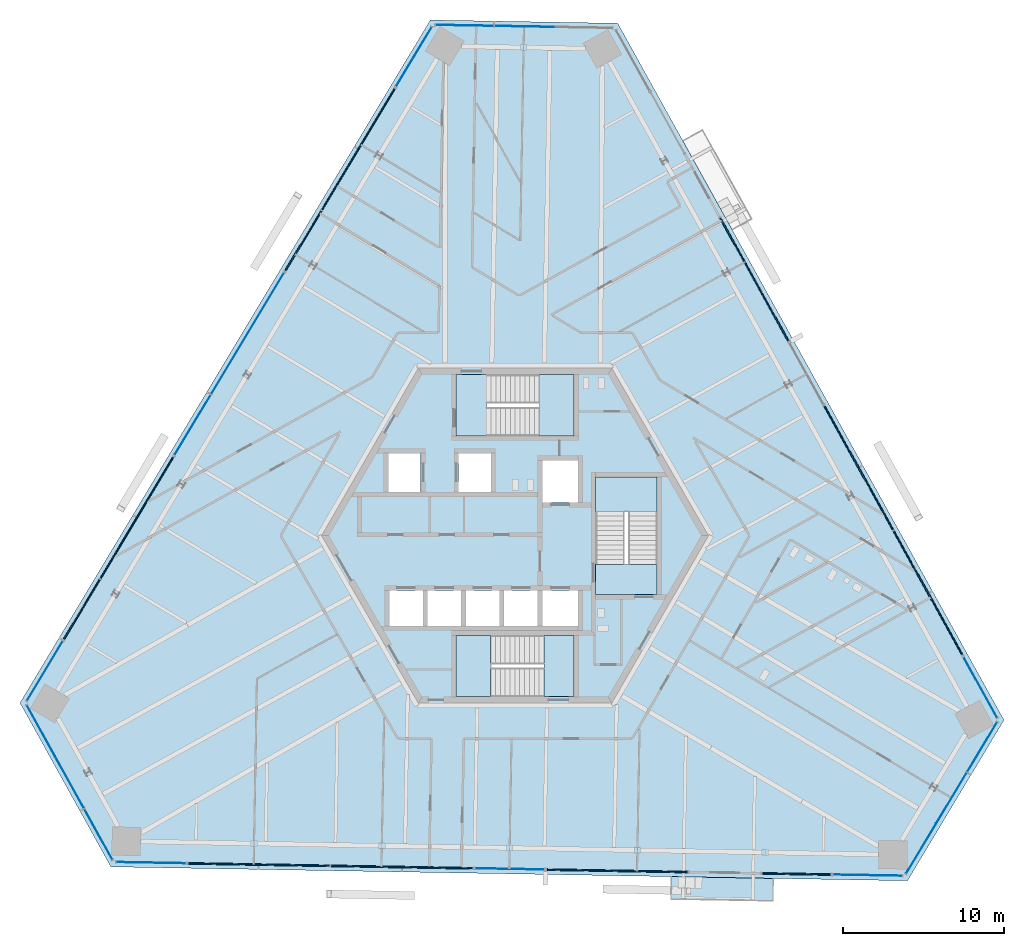
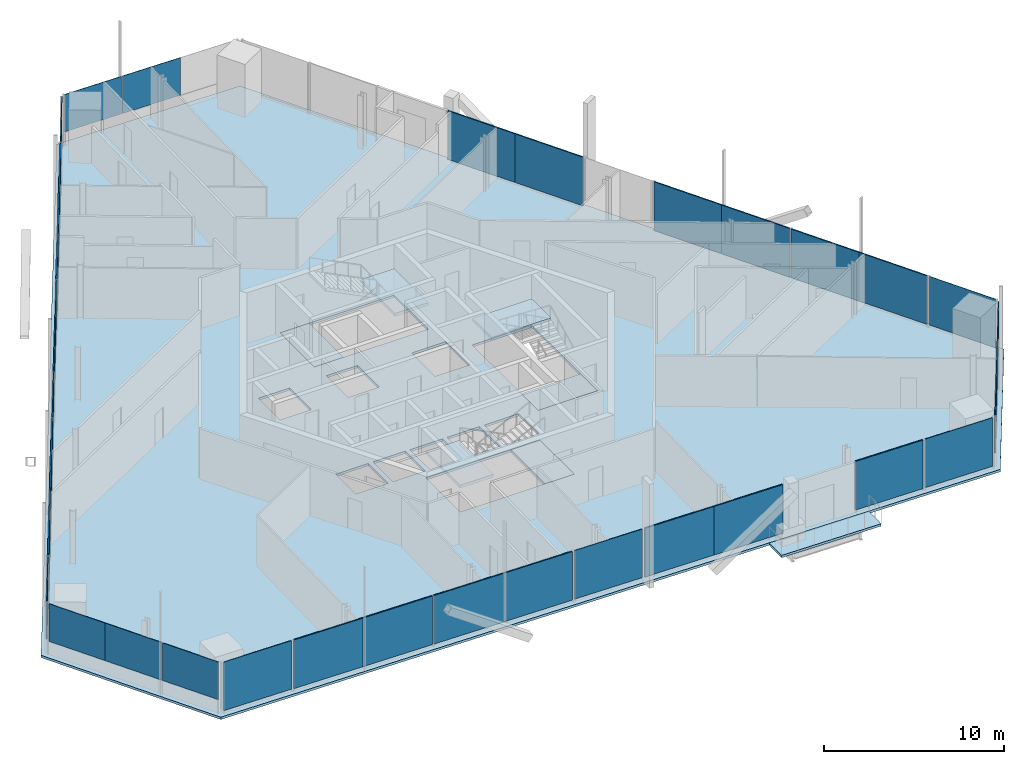
# One storey, part 10 of 21: 36 plates, 8 slabs, 20 elements without a shape of their own.
"""IFC4 building model written with IfcOpenShell, lengths in metres."""

from ifc_helpers import new_model, si_unit, direction, frame, origin, origin_2d, place, context, subcontext, project, spatial, polyline, rectangle, outline, extrude, source, transform, mapped, material, layer, layer_set, type_object, element, aggregate, save


model = new_model("IFC4")

# Units and contexts
model_context = context("Model", 3, precision=1e-05, world=origin(), true_north=direction((0.0, 1.0)))
body_context = subcontext(model_context, "Body", "Model", "MODEL_VIEW")
ifc_project = project(units=[si_unit("LENGTHUNIT", "METRE"), si_unit("AREAUNIT", "SQUARE_METRE"), si_unit("VOLUMEUNIT", "CUBIC_METRE"), si_unit("PLANEANGLEUNIT", "RADIAN"), si_unit("MASSUNIT", "GRAM", prefix="KILO")], contexts=[model_context])

# Site, building, storey
site_placement = place(None, origin())
site = spatial("IfcSite", under=ifc_project, at=site_placement, CompositionType="ELEMENT")
building_placement = place(site_placement, origin())
building = spatial("IfcBuilding", under=site, at=building_placement, Name="Triune Harvest Tower", CompositionType="ELEMENT")
storey_placement = place(building_placement, frame((0.0, 0.0, 201.5)))
storey = spatial("IfcBuildingStorey", under=building, at=storey_placement, Name="L52", CompositionType="ELEMENT", Elevation=201.5)

# Slabs
ifc_material_1 = material(Name="Concrete 40 MPa", Category="concrete")
ifc_layer_1 = layer(ifc_material_1, 0.159912109375)
ifc_layer_set_1 = layer_set([ifc_layer_1], Name="Concrete 40 MPa")
slab_type_1 = type_object("IfcSlabType", Name="BA-1 balcony slab 160", PredefinedType="FLOOR", material=ifc_layer_set_1)
slab_1_placement = place(storey_placement, frame((0.0, 0.0, -0.159912109375)))
element("IfcSlab", 1, at=slab_1_placement, inside=storey, type_object=slab_type_1, Name="Balcony slab B5-F5 L52.9", PredefinedType="FLOOR", context=body_context, shape_type="SweptSolid", body=[
    extrude(outline(polyline([(9.692138671875, -21.1494140625), (16.01318359375, -21.259765625), (15.989013671875, -22.6533203125), (9.66796875, -22.543212890625), (9.692138671875, -21.1494140625)])), origin(), (0.0, 0.0, 1.0), 0.159912109375),
])
ifc_material_2 = material(Name="Concrete 40 MPa", Category="concrete")
ifc_layer_2 = layer(ifc_material_2, 0.159912109375)
ifc_layer_set_2 = layer_set([ifc_layer_2], Name="Concrete 40 MPa")
slab_type_2 = type_object("IfcSlabType", Name="SL-1 Composite floor slab 160", PredefinedType="FLOOR", material=ifc_layer_set_2)
shared_shape_1 = source(origin(), body_context, "Body", "SweptSolid", [
    extrude(outline(polyline([(30.324951171875, -11.439208984375), (6.368896484375, 31.77880859375), (-5.256103515625, 31.981689453125), (-30.705810546875, -10.373779296875), (-25.069091796875, -20.542724609375), (24.3369140625, -21.405029296875), (30.324951171875, -11.439208984375)]), holes=[polyline([(-5.72509765625, -5.590087890625), (-5.72509765625, -3.389892578125), (-7.800048828125, -3.389892578125), (-7.800048828125, -5.590087890625), (-5.72509765625, -5.590087890625)]), polyline([(-3.35009765625, -5.590087890625), (-3.35009765625, -3.389892578125), (-5.425048828125, -3.389892578125), (-5.425048828125, -5.590087890625), (-3.35009765625, -5.590087890625)]), polyline([(-0.97509765625, -5.590087890625), (-0.97509765625, -3.389892578125), (-3.050048828125, -3.389892578125), (-3.050048828125, -5.590087890625), (-0.97509765625, -5.590087890625)]), polyline([(1.39990234375, -5.590087890625), (1.39990234375, -3.389892578125), (-0.675048828125, -3.389892578125), (-0.675048828125, -5.590087890625), (1.39990234375, -5.590087890625)]), polyline([(3.89990234375, 2.06005859375), (3.89990234375, 4.659912109375), (1.699951171875, 4.659912109375), (1.699951171875, 2.06005859375), (3.89990234375, 2.06005859375)]), polyline([(3.89990234375, -5.590087890625), (3.89990234375, -3.389892578125), (1.699951171875, -3.389892578125), (1.699951171875, -5.590087890625), (3.89990234375, -5.590087890625)]), polyline([(-5.85009765625, 2.7099609375), (-5.85009765625, 5.110107421875), (-7.85009765625, 5.110107421875), (-7.85009765625, 2.7099609375), (-5.85009765625, 2.7099609375)]), polyline([(-1.5, 2.7099609375), (-1.5, 5.110107421875), (-3.5, 5.110107421875), (-3.5, 2.7099609375), (-1.5, 2.7099609375)]), polyline([(3.64990234375, 6.18994140625), (3.64990234375, 9.989990234375), (-3.64990234375, 9.989990234375), (-3.64990234375, 6.18994140625), (3.64990234375, 6.18994140625)]), polyline([(3.64990234375, -9.989990234375), (3.64990234375, -6.18994140625), (-3.64990234375, -6.18994140625), (-3.64990234375, -9.989990234375), (3.64990234375, -9.989990234375)]), polyline([(8.800048828125, -3.64990234375), (8.800048828125, 3.64990234375), (5.0, 3.64990234375), (5.0, -3.64990234375), (8.800048828125, -3.64990234375)])]), origin(), (0.0, 0.0, 1.0), 0.159912109375),
])
slab_2_placement = place(storey_placement, frame((0.0, 0.0, -0.159912109375)))
element("IfcSlab", 2, at=slab_2_placement, inside=storey, type_object=slab_type_2, Name="slab/L52/1", PredefinedType="FLOOR", context=body_context, shape_type="MappedRepresentation", body=[
    mapped(shared_shape_1, transform((0.0, 0.0, 0.0), scale=1.0)),
])

# Stair, slabs
ifc_material_3 = material(Name="Concrete 40 MPa", Category="concrete")
stair_type = type_object("IfcStairType", Name="Exit stair 1800 half turn", PredefinedType="HALF_TURN_STAIR", material=ifc_material_3)
stair_1_placement = place(storey_placement, origin())
stair_1 = element("IfcStair", 3, at=stair_1_placement, inside=storey, type_object=stair_type, Name="Exit stair north", PredefinedType="HALF_TURN_STAIR")
ifc_material_4 = material(Name="Concrete 40 MPa", Category="concrete")
ifc_layer_3 = layer(ifc_material_4, 0.199951171875)
ifc_layer_set_3 = layer_set([ifc_layer_3], Name="Concrete 40 MPa")
slab_type_3 = type_object("IfcSlabType", Name="Stair landing 200", PredefinedType="LANDING", material=ifc_layer_set_3)
shared_shape_2 = source(origin(), body_context, "Body", "SweptSolid", [
    extrude(outline(polyline([(1.510009765625, 6.18994140625), (3.64990234375, 6.18994140625), (3.64990234375, 9.989990234375), (1.510009765625, 9.989990234375), (1.510009765625, 6.18994140625)])), origin(), (0.0, 0.0, 1.0), 0.199951171875),
])
slab_3_placement = place(storey_placement, frame((0.0, 0.0, 1.60009765625)))
slab_3 = element("IfcSlab", 4, at=slab_3_placement, type_object=slab_type_3, Name="ST-1 landing 2", PredefinedType="LANDING", context=body_context, shape_type="MappedRepresentation", body=[
    mapped(shared_shape_2, transform((0.0, 0.0, 0.0), scale=1.0)),
])
shared_shape_3 = source(origin(), body_context, "Body", "SweptSolid", [
    extrude(outline(polyline([(-3.64990234375, 6.18994140625), (-1.780029296875, 6.18994140625), (-1.780029296875, 9.989990234375), (-3.64990234375, 9.989990234375), (-3.64990234375, 6.18994140625)])), origin(), (0.0, 0.0, 1.0), 0.199951171875),
])
slab_4_placement = place(storey_placement, frame((0.0, 0.0, -0.199951171875)))
slab_4 = element("IfcSlab", 5, at=slab_4_placement, type_object=slab_type_3, Name="ST-1 landing 1", PredefinedType="LANDING", context=body_context, shape_type="MappedRepresentation", body=[
    mapped(shared_shape_3, transform((0.0, 0.0, 0.0), scale=1.0)),
])
aggregate(stair_1, [slab_4, slab_3])

stair_2_placement = place(storey_placement, origin())
stair_2 = element("IfcStair", 6, at=stair_2_placement, inside=storey, type_object=stair_type, Name="Exit stair south", PredefinedType="HALF_TURN_STAIR")
shared_shape_4 = source(origin(), body_context, "Body", "SweptSolid", [
    extrude(outline(polyline([(-1.510009765625, -6.18994140625), (-3.64990234375, -6.18994140625), (-3.64990234375, -9.989990234375), (-1.510009765625, -9.989990234375), (-1.510009765625, -6.18994140625)])), origin(), (0.0, 0.0, 1.0), 0.199951171875),
])
slab_5_placement = place(storey_placement, frame((0.0, 0.0, 1.60009765625)))
slab_5 = element("IfcSlab", 7, at=slab_5_placement, type_object=slab_type_3, Name="ST-2 landing 2", PredefinedType="LANDING", context=body_context, shape_type="MappedRepresentation", body=[
    mapped(shared_shape_4, transform((0.0, 0.0, 0.0), scale=1.0)),
])
shared_shape_5 = source(origin(), body_context, "Body", "SweptSolid", [
    extrude(outline(polyline([(3.64990234375, -6.18994140625), (1.780029296875, -6.18994140625), (1.780029296875, -9.989990234375), (3.64990234375, -9.989990234375), (3.64990234375, -6.18994140625)])), origin(), (0.0, 0.0, 1.0), 0.199951171875),
])
slab_6_placement = place(storey_placement, frame((0.0, 0.0, -0.199951171875)))
slab_6 = element("IfcSlab", 8, at=slab_6_placement, type_object=slab_type_3, Name="ST-2 landing 1", PredefinedType="LANDING", context=body_context, shape_type="MappedRepresentation", body=[
    mapped(shared_shape_5, transform((0.0, 0.0, 0.0), scale=1.0)),
])
aggregate(stair_2, [slab_6, slab_5])

stair_3_placement = place(storey_placement, origin())
stair_3 = element("IfcStair", 9, at=stair_3_placement, inside=storey, type_object=stair_type, Name="Exit stair east", PredefinedType="HALF_TURN_STAIR")
shared_shape_6 = source(origin(), body_context, "Body", "SweptSolid", [
    extrude(outline(polyline([(8.800048828125, 1.510009765625), (8.800048828125, 3.64990234375), (5.0, 3.64990234375), (5.0, 1.510009765625), (8.800048828125, 1.510009765625)])), origin(), (0.0, 0.0, 1.0), 0.199951171875),
])
slab_7_placement = place(storey_placement, frame((0.0, 0.0, 1.60009765625)))
slab_7 = element("IfcSlab", 10, at=slab_7_placement, type_object=slab_type_3, Name="ST-3 landing 2", PredefinedType="LANDING", context=body_context, shape_type="MappedRepresentation", body=[
    mapped(shared_shape_6, transform((0.0, 0.0, 0.0), scale=1.0)),
])
shared_shape_7 = source(origin(), body_context, "Body", "SweptSolid", [
    extrude(outline(polyline([(8.800048828125, -3.64990234375), (8.800048828125, -1.780029296875), (5.0, -1.780029296875), (5.0, -3.64990234375), (8.800048828125, -3.64990234375)])), origin(), (0.0, 0.0, 1.0), 0.199951171875),
])
slab_8_placement = place(storey_placement, frame((0.0, 0.0, -0.199951171875)))
slab_8 = element("IfcSlab", 11, at=slab_8_placement, type_object=slab_type_3, Name="ST-3 landing 1", PredefinedType="LANDING", context=body_context, shape_type="MappedRepresentation", body=[
    mapped(shared_shape_7, transform((0.0, 0.0, 0.0), scale=1.0)),
])
aggregate(stair_3, [slab_8, slab_7])

# Curtain wall, plate
ifc_material_5 = material(Name="Aluminium bronze anodised", Category="aluminium")
curtain_wall_type_1 = type_object("IfcCurtainWallType", Name="CW-10 Balcony window wall with insulated spandrel infill", PredefinedType="NOTDEFINED", material=ifc_material_5)
curtain_wall_1_placement = place(storey_placement, origin())
curtain_wall_1 = element("IfcCurtainWall", 12, at=curtain_wall_1_placement, inside=storey, type_object=curtain_wall_type_1, Name="CW-10 B5-F5 L52 run 2")
ifc_material_6 = material(Name="Insulated spandrel panel, bronze aluminium pan", Category="aluminium")
ifc_layer_4 = layer(ifc_material_6, 0.080078125)
ifc_layer_set_4 = layer_set([ifc_layer_4], Name="Insulated spandrel panel, bronze aluminium pan")
plate_type_1 = type_object("IfcPlateType", Name="SP-1 insulated spandrel panel 80", PredefinedType="CURTAIN_PANEL", material=ifc_layer_set_4)
shared_shape_8 = source(origin(), body_context, "Body", "SweptSolid", [
    extrude(rectangle(XDim=4.265625, YDim=0.080078125, at=origin_2d()), origin(), (0.0, 0.0, 1.0), 3.2900390625),
])
plate_1_placement = place(storey_placement, frame((17.45654296875, -20.98486328125, 0.14990234375), z_axis=(0.0, 0.0, 1.0), x_axis=(0.999847589868, -0.017458437359, 0.0)))
plate_1 = element("IfcPlate", 13, at=plate_1_placement, type_object=plate_type_1, Name="CW-10 panel B5-F5 2.1", PredefinedType="CURTAIN_PANEL", context=body_context, shape_type="MappedRepresentation", body=[
    mapped(shared_shape_8, transform((0.0, 0.0, 0.0), scale=1.0)),
])
aggregate(curtain_wall_1, [plate_1])

ifc_material_7 = material(Name="Aluminium bronze anodised", Category="aluminium")
curtain_wall_type_2 = type_object("IfcCurtainWallType", Name="CW-1 Tower stick curtain wall", PredefinedType="NOTDEFINED", material=ifc_material_7)
curtain_wall_2_placement = place(storey_placement, origin())
curtain_wall_2 = element("IfcCurtainWall", 14, at=curtain_wall_2_placement, inside=storey, type_object=curtain_wall_type_2, Name="CW-1 B5-F4 L52 run 1")
ifc_material_8 = material(Name="Glass", Category="glass")
ifc_layer_5 = layer(ifc_material_8, 0.031982421875)
ifc_layer_set_5 = layer_set([ifc_layer_5], Name="Glass")
plate_type_2 = type_object("IfcPlateType", Name="GL-1 panel 32", PredefinedType="CURTAIN_PANEL", material=ifc_layer_set_5)
shared_shape_9 = source(origin(), body_context, "Body", "SweptSolid", [
    extrude(rectangle(XDim=3.625, YDim=0.031982421875, at=origin_2d()), origin(), (0.0, 0.0, 1.0), 2.5400390625),
])
plate_2_placement = place(storey_placement, frame((-29.400634765625, -12.109375, 0.89990234375), z_axis=(0.0, 0.0, 1.0), x_axis=(0.484801950362, -0.874623958582, 0.0)))
plate_2 = element("IfcPlate", 15, at=plate_2_placement, type_object=plate_type_2, Name="CW-1 panel B5-F4 1.1", PredefinedType="CURTAIN_PANEL", context=body_context, shape_type="MappedRepresentation", body=[
    mapped(shared_shape_9, transform((0.0, 0.0, 0.0), scale=1.0)),
])

curtain_wall_3_placement = place(storey_placement, origin())
curtain_wall_3 = element("IfcCurtainWall", 16, at=curtain_wall_3_placement, inside=storey, type_object=curtain_wall_type_2, Name="CW-1 B5-F6 L52 run 1")
plate_3_placement = place(storey_placement, frame((25.1875, -19.406982421875, 0.89990234375), z_axis=(0.0, 0.0, 1.0), x_axis=(0.515036685882, 0.857168135313, 0.0)))
plate_3 = element("IfcPlate", 17, at=plate_3_placement, type_object=plate_type_2, Name="CW-1 panel B5-F6 1.1", PredefinedType="CURTAIN_PANEL", context=body_context, shape_type="MappedRepresentation", body=[
    mapped(shared_shape_9, transform((0.0, 0.0, 0.0), scale=1.0)),
])

curtain_wall_4_placement = place(storey_placement, origin())
curtain_wall_4 = element("IfcCurtainWall", 18, at=curtain_wall_4_placement, inside=storey, type_object=curtain_wall_type_2, Name="CW-1 B5-F2 L52 run 1")
shared_shape_10 = source(origin(), body_context, "Body", "SweptSolid", [
    extrude(rectangle(XDim=3.66259765625, YDim=0.031982421875, at=origin_2d()), origin(), (0.0, 0.0, 1.0), 2.5400390625),
])
plate_4_placement = place(storey_placement, frame((0.570068359375, 31.580078125, 0.89990234375), z_axis=(0.0, 0.0, 1.0), x_axis=(-0.999847801404, 0.017446318452, 0.0)))
plate_4 = element("IfcPlate", 19, at=plate_4_placement, type_object=plate_type_2, Name="CW-1 panel B5-F2 1.2", PredefinedType="CURTAIN_PANEL", context=body_context, shape_type="MappedRepresentation", body=[
    mapped(shared_shape_10, transform((0.0, 0.0, 0.0), scale=1.0)),
])

# Plate
plate_5_placement = place(storey_placement, frame((-27.634033203125, -15.29638671875, 0.89990234375), z_axis=(0.0, 0.0, 1.0), x_axis=(0.484801950362, -0.874623958582, 0.0)))
plate_5 = element("IfcPlate", 20, at=plate_5_placement, type_object=plate_type_2, Name="CW-1 panel B5-F4 1.2", PredefinedType="CURTAIN_PANEL", context=body_context, shape_type="MappedRepresentation", body=[
    mapped(shared_shape_10, transform((0.0, 0.0, 0.0), scale=1.0)),
])

plate_6_placement = place(storey_placement, frame((27.064208984375, -16.28369140625, 0.89990234375), z_axis=(0.0, 0.0, 1.0), x_axis=(0.515036685882, 0.857168135313, 0.0)))
plate_6 = element("IfcPlate", 21, at=plate_6_placement, type_object=plate_type_2, Name="CW-1 panel B5-F6 1.2", PredefinedType="CURTAIN_PANEL", context=body_context, shape_type="MappedRepresentation", body=[
    mapped(shared_shape_10, transform((0.0, 0.0, 0.0), scale=1.0)),
])

shared_shape_11 = source(origin(), body_context, "Body", "SweptSolid", [
    extrude(rectangle(XDim=3.587646484375, YDim=0.031982421875, at=origin_2d()), origin(), (0.0, 0.0, 1.0), 2.5400390625),
])
plate_7_placement = place(storey_placement, frame((-3.129638671875, 31.64453125, 0.89990234375), z_axis=(0.0, 0.0, 1.0), x_axis=(-0.999847801404, 0.017446318452, 0.0)))
plate_7 = element("IfcPlate", 22, at=plate_7_placement, type_object=plate_type_2, Name="CW-1 panel B5-F2 1.3", PredefinedType="CURTAIN_PANEL", context=body_context, shape_type="MappedRepresentation", body=[
    mapped(shared_shape_11, transform((0.0, 0.0, 0.0), scale=1.0)),
])

aggregate(curtain_wall_4, [plate_4, plate_7])

plate_8_placement = place(storey_placement, frame((-25.84033203125, -18.532470703125, 0.89990234375), z_axis=(0.0, 0.0, 1.0), x_axis=(0.484801950362, -0.874623958582, 0.0)))
plate_8 = element("IfcPlate", 23, at=plate_8_placement, type_object=plate_type_2, Name="CW-1 panel B5-F4 1.3", PredefinedType="CURTAIN_PANEL", context=body_context, shape_type="MappedRepresentation", body=[
    mapped(shared_shape_11, transform((0.0, 0.0, 0.0), scale=1.0)),
])

aggregate(curtain_wall_2, [plate_2, plate_5, plate_8])

plate_9_placement = place(storey_placement, frame((28.9697265625, -13.112060546875, 0.89990234375), z_axis=(0.0, 0.0, 1.0), x_axis=(0.515036685882, 0.857168135313, 0.0)))
plate_9 = element("IfcPlate", 24, at=plate_9_placement, type_object=plate_type_2, Name="CW-1 panel B5-F6 1.3", PredefinedType="CURTAIN_PANEL", context=body_context, shape_type="MappedRepresentation", body=[
    mapped(shared_shape_11, transform((0.0, 0.0, 0.0), scale=1.0)),
])

aggregate(curtain_wall_3, [plate_3, plate_6, plate_9])

# Curtain wall, plate
ifc_material_9 = material(Name="Aluminium bronze anodised", Category="aluminium")
curtain_wall_type_3 = type_object("IfcCurtainWallType", Name="CW-7 Tower stick curtain wall with insulated spandrel infill", PredefinedType="NOTDEFINED", material=ifc_material_9)
curtain_wall_5_placement = place(storey_placement, origin())
curtain_wall_5 = element("IfcCurtainWall", 25, at=curtain_wall_5_placement, inside=storey, type_object=curtain_wall_type_3, Name="CW-7 B5-F3 L52 run 1001")
shared_shape_12 = source(origin(), body_context, "Body", "SweptSolid", [
    extrude(rectangle(XDim=4.40673828125, YDim=0.080078125, at=origin_2d()), origin(), (0.0, 0.0, 1.0), 2.5400390625),
])
plate_10_placement = place(storey_placement, frame((-10.84716796875, 22.093994140625, 0.89990234375), z_axis=(0.0, 0.0, 1.0), x_axis=(-0.51503942513, -0.857166489407, 0.0)))
plate_10 = element("IfcPlate", 26, at=plate_10_placement, type_object=plate_type_1, Name="CW-7 panel B5-F3 1001.2", PredefinedType="CURTAIN_PANEL", context=body_context, shape_type="MappedRepresentation", body=[
    mapped(shared_shape_12, transform((0.0, 0.0, 0.0), scale=1.0)),
])

curtain_wall_6_placement = place(storey_placement, origin())
curtain_wall_6 = element("IfcCurtainWall", 27, at=curtain_wall_6_placement, inside=storey, type_object=curtain_wall_type_3, Name="CW-7 B5-F3 L52 run 3001")
plate_11_placement = place(storey_placement, frame((-24.580810546875, -0.762939453125, 0.89990234375), z_axis=(0.0, 0.0, 1.0), x_axis=(-0.51503942513, -0.857166489407, 0.0)))
plate_11 = element("IfcPlate", 28, at=plate_11_placement, type_object=plate_type_1, Name="CW-7 panel B5-F3 3001.2", PredefinedType="CURTAIN_PANEL", context=body_context, shape_type="MappedRepresentation", body=[
    mapped(shared_shape_12, transform((0.0, 0.0, 0.0), scale=1.0)),
])

# Curtain wall, plates
curtain_wall_7_placement = place(storey_placement, origin())
curtain_wall_7 = element("IfcCurtainWall", 29, at=curtain_wall_7_placement, inside=storey, type_object=curtain_wall_type_2, Name="CW-1 B5-F3 L52 run 2001")
shared_shape_13 = source(origin(), body_context, "Body", "SweptSolid", [
    extrude(rectangle(XDim=4.369384765625, YDim=0.031982421875, at=origin_2d()), origin(), (0.0, 0.0, 1.0), 2.5400390625),
])
plate_12_placement = place(storey_placement, frame((-15.4541015625, 14.4267578125, 0.89990234375), z_axis=(0.0, 0.0, 1.0), x_axis=(-0.515030603177, -0.857171790128, 0.0)))
plate_12 = element("IfcPlate", 30, at=plate_12_placement, type_object=plate_type_2, Name="CW-1 panel B5-F3 2001.1", PredefinedType="CURTAIN_PANEL", context=body_context, shape_type="MappedRepresentation", body=[
    mapped(shared_shape_13, transform((0.0, 0.0, 0.0), scale=1.0)),
])
shared_shape_14 = source(origin(), body_context, "Body", "SweptSolid", [
    extrude(rectangle(XDim=4.40673828125, YDim=0.031982421875, at=origin_2d()), origin(), (0.0, 0.0, 1.0), 2.5400390625),
])
plate_13_placement = place(storey_placement, frame((-17.714111328125, 10.66552734375, 0.89990234375), z_axis=(0.0, 0.0, 1.0), x_axis=(-0.515030603177, -0.857171790128, 0.0)))
plate_13 = element("IfcPlate", 31, at=plate_13_placement, type_object=plate_type_2, Name="CW-1 panel B5-F3 2001.2", PredefinedType="CURTAIN_PANEL", context=body_context, shape_type="MappedRepresentation", body=[
    mapped(shared_shape_14, transform((0.0, 0.0, 0.0), scale=1.0)),
])
shared_shape_15 = source(origin(), body_context, "Body", "SweptSolid", [
    extrude(rectangle(XDim=4.331787109375, YDim=0.031982421875, at=origin_2d()), origin(), (0.0, 0.0, 1.0), 2.5400390625),
])
plate_14_placement = place(storey_placement, frame((-20.0029296875, 6.85595703125, 0.89990234375), z_axis=(0.0, 0.0, 1.0), x_axis=(-0.515030603177, -0.857171790128, 0.0)))
plate_14 = element("IfcPlate", 32, at=plate_14_placement, type_object=plate_type_2, Name="CW-1 panel B5-F3 2001.3", PredefinedType="CURTAIN_PANEL", context=body_context, shape_type="MappedRepresentation", body=[
    mapped(shared_shape_15, transform((0.0, 0.0, 0.0), scale=1.0)),
])
aggregate(curtain_wall_7, [plate_12, plate_13, plate_14])

# Plate
shared_shape_16 = source(origin(), body_context, "Body", "SweptSolid", [
    extrude(rectangle(XDim=4.369140625, YDim=0.080078125, at=origin_2d()), origin(), (0.0, 0.0, 1.0), 2.5400390625),
])
plate_15_placement = place(storey_placement, frame((-8.587158203125, 25.855224609375, 0.89990234375), z_axis=(0.0, 0.0, 1.0), x_axis=(-0.51503942513, -0.857166489407, 0.0)))
plate_15 = element("IfcPlate", 33, at=plate_15_placement, type_object=plate_type_1, Name="CW-7 panel B5-F3 1001.1", PredefinedType="CURTAIN_PANEL", context=body_context, shape_type="MappedRepresentation", body=[
    mapped(shared_shape_16, transform((0.0, 0.0, 0.0), scale=1.0)),
])

plate_16_placement = place(storey_placement, frame((-22.32080078125, 2.998291015625, 0.89990234375), z_axis=(0.0, 0.0, 1.0), x_axis=(-0.51503942513, -0.857166489407, 0.0)))
plate_16 = element("IfcPlate", 34, at=plate_16_placement, type_object=plate_type_1, Name="CW-7 panel B5-F3 3001.1", PredefinedType="CURTAIN_PANEL", context=body_context, shape_type="MappedRepresentation", body=[
    mapped(shared_shape_16, transform((0.0, 0.0, 0.0), scale=1.0)),
])

shared_shape_17 = source(origin(), body_context, "Body", "SweptSolid", [
    extrude(rectangle(XDim=4.331787109375, YDim=0.080078125, at=origin_2d()), origin(), (0.0, 0.0, 1.0), 2.5400390625),
])
plate_17_placement = place(storey_placement, frame((-13.13623046875, 18.284423828125, 0.89990234375), z_axis=(0.0, 0.0, 1.0), x_axis=(-0.51503942513, -0.857166489407, 0.0)))
plate_17 = element("IfcPlate", 35, at=plate_17_placement, type_object=plate_type_1, Name="CW-7 panel B5-F3 1001.3", PredefinedType="CURTAIN_PANEL", context=body_context, shape_type="MappedRepresentation", body=[
    mapped(shared_shape_17, transform((0.0, 0.0, 0.0), scale=1.0)),
])

aggregate(curtain_wall_5, [plate_15, plate_10, plate_17])

plate_18_placement = place(storey_placement, frame((-26.869873046875, -4.572509765625, 0.89990234375), z_axis=(0.0, 0.0, 1.0), x_axis=(-0.51503942513, -0.857166489407, 0.0)))
plate_18 = element("IfcPlate", 36, at=plate_18_placement, type_object=plate_type_1, Name="CW-7 panel B5-F3 3001.3", PredefinedType="CURTAIN_PANEL", context=body_context, shape_type="MappedRepresentation", body=[
    mapped(shared_shape_17, transform((0.0, 0.0, 0.0), scale=1.0)),
])

aggregate(curtain_wall_6, [plate_16, plate_11, plate_18])

# Curtain wall, plates
curtain_wall_8_placement = place(storey_placement, origin())
curtain_wall_8 = element("IfcCurtainWall", 37, at=curtain_wall_8_placement, inside=storey, type_object=curtain_wall_type_1, Name="CW-10 B5-F1 L52 run 1001")
shared_shape_18 = source(origin(), body_context, "Body", "SweptSolid", [
    extrude(rectangle(XDim=4.374267578125, YDim=0.080078125, at=origin_2d()), origin(), (0.0, 0.0, 1.0), 3.2900390625),
])
plate_19_placement = place(storey_placement, frame((26.68115234375, -5.484375, 0.14990234375), z_axis=(0.0, 0.0, 1.0), x_axis=(-0.484808325408, 0.874620424879, 0.0)))
plate_19 = element("IfcPlate", 38, at=plate_19_placement, type_object=plate_type_1, Name="CW-10 panel B5-F1 1001.1", PredefinedType="CURTAIN_PANEL", context=body_context, shape_type="MappedRepresentation", body=[
    mapped(shared_shape_18, transform((0.0, 0.0, 0.0), scale=1.0)),
])
plate_20_placement = place(storey_placement, frame((20.246337890625, 6.124755859375, 0.14990234375), z_axis=(0.0, 0.0, 1.0), x_axis=(-0.484808325408, 0.874620424879, 0.0)))
plate_20 = element("IfcPlate", 39, at=plate_20_placement, type_object=plate_type_1, Name="CW-10 panel B5-F1 1001.4", PredefinedType="CURTAIN_PANEL", context=body_context, shape_type="MappedRepresentation", body=[
    mapped(shared_shape_18, transform((0.0, 0.0, 0.0), scale=1.0)),
])

curtain_wall_9_placement = place(storey_placement, origin())
curtain_wall_9 = element("IfcCurtainWall", 40, at=curtain_wall_9_placement, inside=storey, type_object=curtain_wall_type_1, Name="CW-10 B5-F1 L52 run 3001")
plate_21_placement = place(storey_placement, frame((15.895751953125, 13.973388671875, 0.14990234375), z_axis=(0.0, 0.0, 1.0), x_axis=(-0.484813400617, 0.874617611635, 0.0)))
plate_21 = element("IfcPlate", 41, at=plate_21_placement, type_object=plate_type_1, Name="CW-10 panel B5-F1 3001.1", PredefinedType="CURTAIN_PANEL", context=body_context, shape_type="MappedRepresentation", body=[
    mapped(shared_shape_18, transform((0.0, 0.0, 0.0), scale=1.0)),
])
plate_22_placement = place(storey_placement, frame((13.77490234375, 17.79931640625, 0.14990234375), z_axis=(0.0, 0.0, 1.0), x_axis=(-0.484813400617, 0.874617611635, 0.0)))
plate_22 = element("IfcPlate", 42, at=plate_22_placement, type_object=plate_type_1, Name="CW-10 panel B5-F1 3001.2", PredefinedType="CURTAIN_PANEL", context=body_context, shape_type="MappedRepresentation", body=[
    mapped(shared_shape_18, transform((0.0, 0.0, 0.0), scale=1.0)),
])
aggregate(curtain_wall_9, [plate_21, plate_22])

curtain_wall_10_placement = place(storey_placement, origin())
curtain_wall_10 = element("IfcCurtainWall", 43, at=curtain_wall_10_placement, inside=storey, type_object=curtain_wall_type_1, Name="CW-10 B5-F5 L52 run 1001")
plate_23_placement = place(storey_placement, frame((-18.090087890625, -20.364501953125, 0.14990234375), z_axis=(0.0, 0.0, 1.0), x_axis=(0.999847704362, -0.017451879027, 0.0)))
plate_23 = element("IfcPlate", 44, at=plate_23_placement, type_object=plate_type_1, Name="CW-10 panel B5-F5 1001.1", PredefinedType="CURTAIN_PANEL", context=body_context, shape_type="MappedRepresentation", body=[
    mapped(shared_shape_18, transform((0.0, 0.0, 0.0), scale=1.0)),
])
plate_24_placement = place(storey_placement, frame((-4.81884765625, -20.59619140625, 0.14990234375), z_axis=(0.0, 0.0, 1.0), x_axis=(0.999847704362, -0.017451879027, 0.0)))
plate_24 = element("IfcPlate", 45, at=plate_24_placement, type_object=plate_type_1, Name="CW-10 panel B5-F5 1001.4", PredefinedType="CURTAIN_PANEL", context=body_context, shape_type="MappedRepresentation", body=[
    mapped(shared_shape_18, transform((0.0, 0.0, 0.0), scale=1.0)),
])

# Plate
shared_shape_19 = source(origin(), body_context, "Body", "SweptSolid", [
    extrude(rectangle(XDim=4.411865234375, YDim=0.080078125, at=origin_2d()), origin(), (0.0, 0.0, 1.0), 3.2900390625),
])
plate_25_placement = place(storey_placement, frame((24.55126953125, -1.64208984375, 0.14990234375), z_axis=(0.0, 0.0, 1.0), x_axis=(-0.484808325408, 0.874620424879, 0.0)))
plate_25 = element("IfcPlate", 46, at=plate_25_placement, type_object=plate_type_1, Name="CW-10 panel B5-F1 1001.2", PredefinedType="CURTAIN_PANEL", context=body_context, shape_type="MappedRepresentation", body=[
    mapped(shared_shape_19, transform((0.0, 0.0, 0.0), scale=1.0)),
])

plate_26_placement = place(storey_placement, frame((22.3759765625, 2.2822265625, 0.14990234375), z_axis=(0.0, 0.0, 1.0), x_axis=(-0.484808325408, 0.874620424879, 0.0)))
plate_26 = element("IfcPlate", 47, at=plate_26_placement, type_object=plate_type_1, Name="CW-10 panel B5-F1 1001.3", PredefinedType="CURTAIN_PANEL", context=body_context, shape_type="MappedRepresentation", body=[
    mapped(shared_shape_19, transform((0.0, 0.0, 0.0), scale=1.0)),
])

aggregate(curtain_wall_8, [plate_19, plate_25, plate_26, plate_20])

plate_27_placement = place(storey_placement, frame((-13.697509765625, -20.441162109375, 0.14990234375), z_axis=(0.0, 0.0, 1.0), x_axis=(0.999847704362, -0.017451879027, 0.0)))
plate_27 = element("IfcPlate", 48, at=plate_27_placement, type_object=plate_type_1, Name="CW-10 panel B5-F5 1001.2", PredefinedType="CURTAIN_PANEL", context=body_context, shape_type="MappedRepresentation", body=[
    mapped(shared_shape_19, transform((0.0, 0.0, 0.0), scale=1.0)),
])

plate_28_placement = place(storey_placement, frame((-9.21142578125, -20.51953125, 0.14990234375), z_axis=(0.0, 0.0, 1.0), x_axis=(0.999847704362, -0.017451879027, 0.0)))
plate_28 = element("IfcPlate", 49, at=plate_28_placement, type_object=plate_type_1, Name="CW-10 panel B5-F5 1001.3", PredefinedType="CURTAIN_PANEL", context=body_context, shape_type="MappedRepresentation", body=[
    mapped(shared_shape_19, transform((0.0, 0.0, 0.0), scale=1.0)),
])

aggregate(curtain_wall_10, [plate_23, plate_27, plate_28, plate_24])

# Curtain wall, plate
ifc_material_10 = material(Name="Aluminium bronze anodised", Category="aluminium")
curtain_wall_type_4 = type_object("IfcCurtainWallType", Name="CW-6 Balcony window wall", PredefinedType="NOTDEFINED", material=ifc_material_10)
curtain_wall_11_placement = place(storey_placement, origin())
curtain_wall_11 = element("IfcCurtainWall", 50, at=curtain_wall_11_placement, inside=storey, type_object=curtain_wall_type_4, Name="CW-6 B5-F1 L52 run 1")
ifc_material_11 = material(Name="Glass", Category="glass")
ifc_layer_6 = layer(ifc_material_11, 0.030029296875)
ifc_layer_set_6 = layer_set([ifc_layer_6], Name="Glass")
plate_type_3 = type_object("IfcPlateType", Name="GL-6 panel 30", PredefinedType="CURTAIN_PANEL", material=ifc_layer_set_6)
shared_shape_20 = source(origin(), body_context, "Body", "SweptSolid", [
    extrude(rectangle(XDim=4.29931640625, YDim=0.030029296875, at=origin_2d()), origin(), (0.0, 0.0, 1.0), 3.2900390625),
])
plate_29_placement = place(storey_placement, frame((28.8564453125, -9.40869140625, 0.14990234375), z_axis=(0.0, 0.0, 1.0), x_axis=(-0.484806583624, 0.87462139036, 0.0)))
plate_29 = element("IfcPlate", 51, at=plate_29_placement, type_object=plate_type_3, Name="CW-6 panel B5-F1 1.1", PredefinedType="CURTAIN_PANEL", context=body_context, shape_type="MappedRepresentation", body=[
    mapped(shared_shape_20, transform((0.0, 0.0, 0.0), scale=1.0)),
])
aggregate(curtain_wall_11, [plate_29])

curtain_wall_12_placement = place(storey_placement, origin())
curtain_wall_12 = element("IfcCurtainWall", 52, at=curtain_wall_12_placement, inside=storey, type_object=curtain_wall_type_4, Name="CW-6 B5-F5 L52 run 1")
plate_30_placement = place(storey_placement, frame((-22.576171875, -20.2861328125, 0.14990234375), z_axis=(0.0, 0.0, 1.0), x_axis=(0.999847786269, -0.017447185801, 0.0)))
plate_30 = element("IfcPlate", 53, at=plate_30_placement, type_object=plate_type_3, Name="CW-6 panel B5-F5 1.1", PredefinedType="CURTAIN_PANEL", context=body_context, shape_type="MappedRepresentation", body=[
    mapped(shared_shape_20, transform((0.0, 0.0, 0.0), scale=1.0)),
])
aggregate(curtain_wall_12, [plate_30])

curtain_wall_13_placement = place(storey_placement, origin())
curtain_wall_13 = element("IfcCurtainWall", 54, at=curtain_wall_13_placement, inside=storey, type_object=curtain_wall_type_4, Name="CW-6 B5-F5 L52 run 2001")
plate_31_placement = place(storey_placement, frame((-0.332763671875, -20.674560546875, 0.14990234375), z_axis=(0.0, 0.0, 1.0), x_axis=(0.999847508213, -0.017463113133, 0.0)))
plate_31 = element("IfcPlate", 55, at=plate_31_placement, type_object=plate_type_3, Name="CW-6 panel B5-F5 2001.1", PredefinedType="CURTAIN_PANEL", context=body_context, shape_type="MappedRepresentation", body=[
    mapped(shared_shape_20, transform((0.0, 0.0, 0.0), scale=1.0)),
])
aggregate(curtain_wall_13, [plate_31])

curtain_wall_14_placement = place(storey_placement, origin())
curtain_wall_14 = element("IfcCurtainWall", 56, at=curtain_wall_14_placement, inside=storey, type_object=curtain_wall_type_4, Name="CW-6 B5-F5 L52 run 1002")
shared_shape_21 = source(origin(), body_context, "Body", "SweptSolid", [
    extrude(rectangle(XDim=4.265625, YDim=0.030029296875, at=origin_2d()), origin(), (0.0, 0.0, 1.0), 3.2900390625),
])
plate_32_placement = place(storey_placement, frame((21.871337890625, -21.06201171875, 0.14990234375), z_axis=(0.0, 0.0, 1.0), x_axis=(0.999847826545, -0.017444877553, 0.0)))
plate_32 = element("IfcPlate", 57, at=plate_32_placement, type_object=plate_type_3, Name="CW-6 panel B5-F5 1002.1", PredefinedType="CURTAIN_PANEL", context=body_context, shape_type="MappedRepresentation", body=[
    mapped(shared_shape_21, transform((0.0, 0.0, 0.0), scale=1.0)),
])
aggregate(curtain_wall_14, [plate_32])

curtain_wall_15_placement = place(storey_placement, origin())
curtain_wall_15 = element("IfcCurtainWall", 58, at=curtain_wall_15_placement, inside=storey, type_object=curtain_wall_type_2, Name="CW-1 B5-F3 L52 run 1")
shared_shape_22 = source(origin(), body_context, "Body", "SweptSolid", [
    extrude(rectangle(XDim=4.294189453125, YDim=0.031982421875, at=origin_2d()), origin(), (0.0, 0.0, 1.0), 2.5400390625),
])
plate_33_placement = place(storey_placement, frame((-6.27880859375, 29.69677734375, 0.89990234375), z_axis=(0.0, 0.0, 1.0), x_axis=(-0.515037297029, -0.8571677681, 0.0)))
plate_33 = element("IfcPlate", 59, at=plate_33_placement, type_object=plate_type_2, Name="CW-1 panel B5-F3 1.1", PredefinedType="CURTAIN_PANEL", context=body_context, shape_type="MappedRepresentation", body=[
    mapped(shared_shape_22, transform((0.0, 0.0, 0.0), scale=1.0)),
])
aggregate(curtain_wall_15, [plate_33])

curtain_wall_16_placement = place(storey_placement, origin())
curtain_wall_16 = element("IfcCurtainWall", 60, at=curtain_wall_16_placement, inside=storey, type_object=curtain_wall_type_2, Name="CW-1 B5-F3 L52 run 4001")
plate_34_placement = place(storey_placement, frame((-29.16845703125, -8.39794921875, 0.89990234375), z_axis=(0.0, 0.0, 1.0), x_axis=(-0.515037297029, -0.8571677681, 0.0)))
plate_34 = element("IfcPlate", 61, at=plate_34_placement, type_object=plate_type_2, Name="CW-1 panel B5-F3 4001.1", PredefinedType="CURTAIN_PANEL", context=body_context, shape_type="MappedRepresentation", body=[
    mapped(shared_shape_22, transform((0.0, 0.0, 0.0), scale=1.0)),
])
aggregate(curtain_wall_16, [plate_34])

# Curtain wall, plates
curtain_wall_17_placement = place(storey_placement, origin())
curtain_wall_17 = element("IfcCurtainWall", 62, at=curtain_wall_17_placement, inside=storey, type_object=curtain_wall_type_1, Name="CW-10 B5-F5 L52 run 3001")
shared_shape_23 = source(origin(), body_context, "Body", "SweptSolid", [
    extrude(rectangle(XDim=4.37451171875, YDim=0.080078125, at=origin_2d()), origin(), (0.0, 0.0, 1.0), 3.2900390625),
])
plate_35_placement = place(storey_placement, frame((4.153564453125, -20.752685546875, 0.14990234375), z_axis=(0.0, 0.0, 1.0), x_axis=(0.999847776902, -0.017447722617, 0.0)))
plate_35 = element("IfcPlate", 63, at=plate_35_placement, type_object=plate_type_1, Name="CW-10 panel B5-F5 3001.1", PredefinedType="CURTAIN_PANEL", context=body_context, shape_type="MappedRepresentation", body=[
    mapped(shared_shape_23, transform((0.0, 0.0, 0.0), scale=1.0)),
])
plate_36_placement = place(storey_placement, frame((8.527099609375, -20.8291015625, 0.14990234375), z_axis=(0.0, 0.0, 1.0), x_axis=(0.999847776902, -0.017447722617, 0.0)))
plate_36 = element("IfcPlate", 64, at=plate_36_placement, type_object=plate_type_1, Name="CW-10 panel B5-F5 3001.2", PredefinedType="CURTAIN_PANEL", context=body_context, shape_type="MappedRepresentation", body=[
    mapped(shared_shape_23, transform((0.0, 0.0, 0.0), scale=1.0)),
])
aggregate(curtain_wall_17, [plate_35, plate_36])

save(model, "model.ifc")
